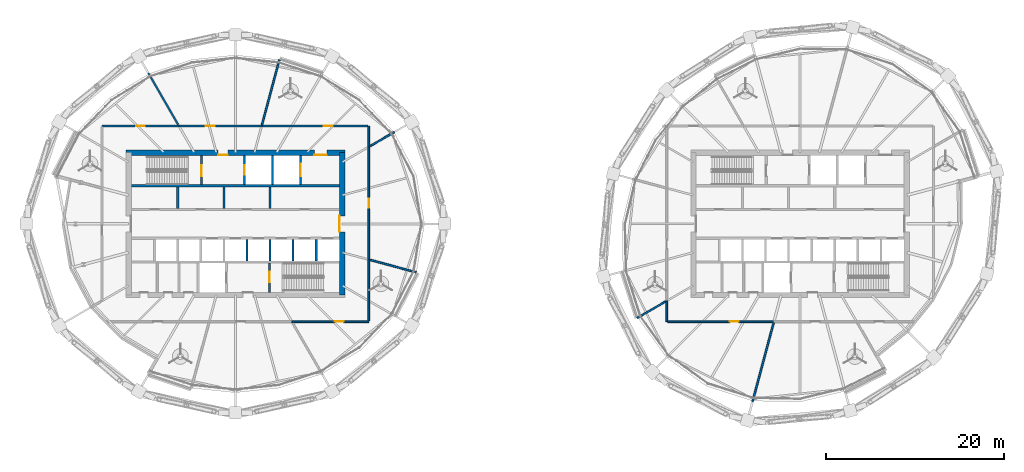
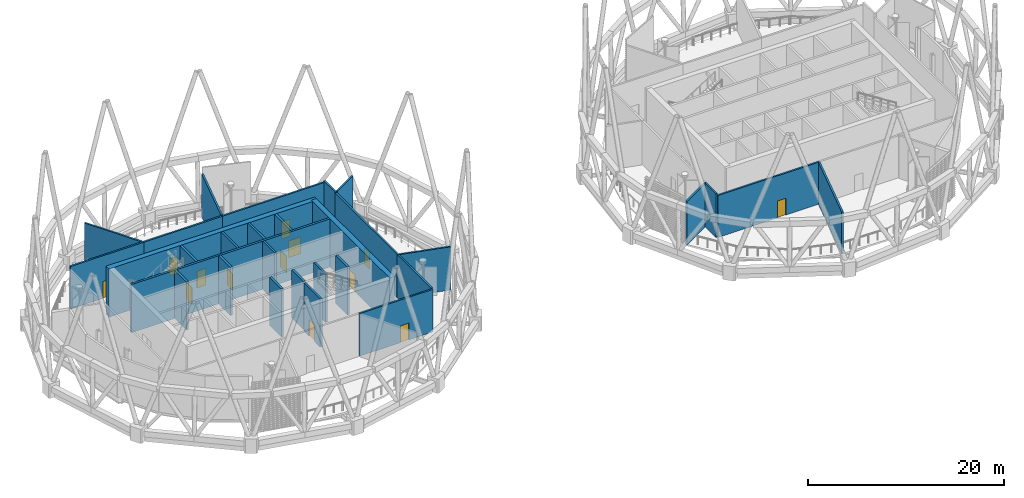
# One storey, part 11 of 22: 30 walls, 13 doors, 13 openings.
"""IFC4 building model written with IfcOpenShell, lengths in metres."""

from ifc_helpers import new_model, si_unit, direction, frame, frame_2d, origin, place, context, subcontext, project, spatial, rectangle, extrude, material, layer, layer_set, type_object, element, fill, save


model = new_model("IFC4")

# Units and contexts
model_context = context("Model", 3, precision=1e-05, world=origin(), true_north=direction((0.0, 1.0)))
body_context = subcontext(model_context, "Body", "Model", "MODEL_VIEW")
ifc_project = project(units=[si_unit("LENGTHUNIT", "METRE"), si_unit("AREAUNIT", "SQUARE_METRE"), si_unit("VOLUMEUNIT", "CUBIC_METRE"), si_unit("PLANEANGLEUNIT", "RADIAN"), si_unit("MASSUNIT", "GRAM", prefix="KILO")], contexts=[model_context])

# Site, building, storey
site_placement = place(None, origin())
site = spatial("IfcSite", under=ifc_project, at=site_placement, CompositionType="ELEMENT")
building_placement = place(site_placement, origin())
building = spatial("IfcBuilding", under=site, at=building_placement, Name="Rimbun Link Towers", CompositionType="ELEMENT")
storey_placement = place(building_placement, frame((0.0, 0.0, 204.5)))
storey = spatial("IfcBuildingStorey", under=building, at=storey_placement, Name="L50", CompositionType="ELEMENT", Elevation=204.5)

# Wall, openings, doors
ifc_material_1 = material(Name="Concrete C60/75", Category="concrete")
ifc_layer_1 = layer(ifc_material_1, 0.60009765625)
ifc_layer_set_1 = layer_set([ifc_layer_1], Name="Core shear wall 600")
wall_type_1 = type_object("IfcWallType", Name="Core shear wall 600", PredefinedType="SHEAR", material=ifc_layer_set_1)
wall_1_placement = place(storey_placement, frame((-44.050048828125, 8.0, 0.0), z_axis=(0.0, 0.0, 1.0), x_axis=(1.0, 0.0, 0.0)))
wall_1 = element("IfcWall", 1, at=wall_1_placement, inside=storey, type_object=wall_type_1, Name="L50 T1 core wall N", PredefinedType="SHEAR", context=body_context, shape_type="SweptSolid", body=[
    extrude(rectangle(XDim=24.60009765625, YDim=0.60009765625, at=frame_2d((12.300048828125, 0.0))), origin(), (0.0, 0.0, 1.0), 6.0),
])
opening_1_placement = place(wall_1_placement, frame((10.35009765625, 0.0, 0.0)))
opening_1 = element("IfcOpeningElement", 2, at=opening_1_placement, cuts=wall_1, Name="Opening C1DCF01N", PredefinedType="OPENING", context=body_context, shape_type="SweptSolid", body=[
    extrude(rectangle(XDim=1.10009765625, YDim=2.10009765625, at=frame_2d((0.550048828125, 1.050048828125))), frame((0.0, 0.31005859375, 0.0), z_axis=(0.0, -1.0, 0.0), x_axis=(1.0, 0.0, 0.0)), (0.0, 0.0, 1.0), 0.6201171875),
])
opening_2_placement = place(wall_1_placement, frame((21.175048828125, 0.0, 0.0)))
opening_2 = element("IfcOpeningElement", 3, at=opening_2_placement, cuts=wall_1, Name="Opening C1DSL02N", PredefinedType="OPENING", context=body_context, shape_type="SweptSolid", body=[
    extrude(rectangle(XDim=1.39990234375, YDim=2.10009765625, at=frame_2d((0.699951171875, 1.050048828125))), frame((0.0, 0.31005859375, 0.0), z_axis=(0.0, -1.0, 0.0), x_axis=(1.0, 0.0, 0.0)), (0.0, 0.0, 1.0), 0.6201171875),
])
ifc_material_2 = material(Name="Steel fire door set", Category="steel")
door_type_1 = type_object("IfcDoorType", Name="Core fire door single", OperationType="SINGLE_SWING_LEFT", PredefinedType="DOOR", material=ifc_material_2)
door_1_placement = place(opening_1_placement, origin())
door_1 = element("IfcDoor", 4, at=door_1_placement, inside=storey, type_object=door_type_1, Name="L50 T1 firefighting lobby n door", OperationType="SINGLE_SWING_LEFT", OverallHeight=2.10009765625, OverallWidth=1.10009765625, PredefinedType="DOOR", context=body_context, shape_type="SweptSolid", body=[
    extrude(rectangle(XDim=1.10009765625, YDim=2.10009765625, at=frame_2d((0.550048828125, 1.050048828125))), frame((0.0, -0.25, 0.0), z_axis=(0.0, -1.0, 0.0), x_axis=(1.0, 0.0, 0.0)), (0.0, 0.0, 1.0), 0.050048828125),
])
fill(opening_1, door_1)
ifc_material_3 = material(Name="Steel fire door set", Category="steel")
door_type_2 = type_object("IfcDoorType", Name="Service lobby door double", OperationType="DOUBLE_DOOR_SINGLE_SWING", PredefinedType="DOOR", material=ifc_material_3)
door_2_placement = place(opening_2_placement, origin())
door_2 = element("IfcDoor", 5, at=door_2_placement, inside=storey, type_object=door_type_2, Name="L50 T1 service lobby door", OperationType="DOUBLE_DOOR_SINGLE_SWING", OverallHeight=2.10009765625, OverallWidth=1.39990234375, PredefinedType="DOOR", context=body_context, shape_type="SweptSolid", body=[
    extrude(rectangle(XDim=1.39990234375, YDim=2.10009765625, at=frame_2d((0.699951171875, 1.050048828125))), frame((0.0, -0.25, 0.0), z_axis=(0.0, -1.0, 0.0), x_axis=(1.0, 0.0, 0.0)), (0.0, 0.0, 1.0), 0.050048828125),
])
fill(opening_2, door_2)

# Wall, opening, door
wall_2_placement = place(storey_placement, frame((-19.75, -8.0, 0.0), z_axis=(0.0, 0.0, 1.0), x_axis=(0.0, 1.0, 0.0)))
wall_2 = element("IfcWall", 6, at=wall_2_placement, inside=storey, type_object=wall_type_1, Name="L50 T1 core wall E", PredefinedType="SHEAR", context=body_context, shape_type="SweptSolid", body=[
    extrude(rectangle(XDim=16.0, YDim=0.60009765625, at=frame_2d((8.0, 0.0))), origin(), (0.0, 0.0, 1.0), 6.0),
])
opening_3_placement = place(wall_2_placement, frame((7.10009765625, 0.0, 0.0)))
opening_3 = element("IfcOpeningElement", 7, at=opening_3_placement, cuts=wall_2, Name="Opening C1DCL01E", PredefinedType="OPENING", context=body_context, shape_type="SweptSolid", body=[
    extrude(rectangle(XDim=1.800048828125, YDim=2.10009765625, at=frame_2d((0.89990234375, 1.050048828125))), frame((0.0, 0.31005859375, 0.0), z_axis=(0.0, -1.0, 0.0), x_axis=(1.0, 0.0, 0.0)), (0.0, 0.0, 1.0), 0.6201171875),
])
ifc_material_4 = material(Name="Steel fire door set", Category="steel")
door_type_3 = type_object("IfcDoorType", Name="Core lobby door double", OperationType="DOUBLE_DOOR_SINGLE_SWING", PredefinedType="DOOR", material=ifc_material_4)
door_3_placement = place(opening_3_placement, origin())
door_3 = element("IfcDoor", 8, at=door_3_placement, inside=storey, type_object=door_type_3, Name="L50 T1 lift lobby door", OperationType="DOUBLE_DOOR_SINGLE_SWING", OverallHeight=2.10009765625, OverallWidth=1.800048828125, PredefinedType="DOOR", context=body_context, shape_type="SweptSolid", body=[
    extrude(rectangle(XDim=1.800048828125, YDim=2.10009765625, at=frame_2d((0.89990234375, 1.050048828125))), frame((0.0, 0.2998046875, 0.0), z_axis=(0.0, -1.0, 0.0), x_axis=(1.0, 0.0, 0.0)), (0.0, 0.0, 1.0), 0.050048828125),
])
fill(opening_3, door_3)

ifc_material_5 = material(Name="Concrete blockwork", Category="masonry")
ifc_layer_2 = layer(ifc_material_5, 0.199951171875)
ifc_layer_set_2 = layer_set([ifc_layer_2], Name="Fire partition 200 blockwork")
wall_type_2 = type_object("IfcWallType", Name="Fire partition 200 blockwork", PredefinedType="PARTITIONING", material=ifc_layer_set_2)
wall_3_placement = place(storey_placement, frame((-25.399169921875, -11.0, 0.0), z_axis=(0.0, 0.0, 1.0), x_axis=(1.0, 0.0, 0.0)))
wall_3 = element("IfcWall", 9, at=wall_3_placement, inside=storey, type_object=wall_type_2, Name="TW/PW/L50/003", PredefinedType="PARTITIONING", context=body_context, shape_type="SweptSolid", body=[
    extrude(rectangle(XDim=8.649169921875, YDim=0.199951171875, at=frame_2d((4.32470703125, 0.0))), origin(), (0.0, 0.0, 1.0), 5.306884765625),
])
opening_4_placement = place(wall_3_placement, frame((4.8369140625, 0.0, 0.0)))
opening_4 = element("IfcOpeningElement", 10, at=opening_4_placement, cuts=wall_3, Name="Opening TW D50.03", PredefinedType="OPENING", context=body_context, shape_type="SweptSolid", body=[
    extrude(rectangle(XDim=1.0, YDim=2.10009765625, at=frame_2d((0.5, 1.050048828125))), frame((0.0, 0.10986328125, 0.0), z_axis=(0.0, -1.0, 0.0), x_axis=(1.0, 0.0, 0.0)), (0.0, 0.0, 1.0), 0.219970703125),
])
ifc_material_6 = material(Name="Steel fire door set", Category="steel")
door_type_4 = type_object("IfcDoorType", Name="Fire door single leaf 1000 x 2100", OperationType="NOTDEFINED", PredefinedType="DOOR", material=ifc_material_6)
door_4_placement = place(opening_4_placement, origin())
door_4 = element("IfcDoor", 11, at=door_4_placement, inside=storey, type_object=door_type_4, Name="TW/DR/L50/003", OperationType="SINGLE_SWING_RIGHT", OverallHeight=2.10009765625, OverallWidth=1.0, PredefinedType="DOOR", context=body_context, shape_type="SweptSolid", body=[
    extrude(rectangle(XDim=1.0, YDim=2.10009765625, at=frame_2d((0.5, 1.050048828125))), frame((0.0, 0.02490234375, 0.0), z_axis=(0.0, -1.0, 0.0), x_axis=(1.0, 0.0, 0.0)), (0.0, 0.0, 1.0), 0.050048828125),
])
fill(opening_4, door_4)

# Wall
wall_4_placement = place(storey_placement, frame((-16.75, -10.89990234375, 0.0), z_axis=(0.0, 0.0, 1.0), x_axis=(0.0, 1.0, 0.0)))
element("IfcWall", 12, at=wall_4_placement, inside=storey, type_object=wall_type_2, Name="TW/PW/L50/004", PredefinedType="PARTITIONING", context=body_context, shape_type="SweptSolid", body=[
    extrude(rectangle(XDim=6.880615234375, YDim=0.199951171875, at=frame_2d((3.4404296875, 0.0))), origin(), (0.0, 0.0, 1.0), 5.386962890625),
])

# Wall, opening, door
wall_5_placement = place(storey_placement, frame((-16.75, -4.019287109375, 0.0), z_axis=(0.0, 0.0, 1.0), x_axis=(0.0, 1.0, 0.0)))
wall_5 = element("IfcWall", 13, at=wall_5_placement, inside=storey, type_object=wall_type_2, Name="TW/PW/L50/005", PredefinedType="PARTITIONING", context=body_context, shape_type="SweptSolid", body=[
    extrude(rectangle(XDim=12.6796875, YDim=0.199951171875, at=frame_2d((6.33984375, 0.0))), origin(), (0.0, 0.0, 1.0), 5.386962890625),
])
opening_5_placement = place(wall_5_placement, frame((5.840087890625, 0.0, 0.0)))
opening_5 = element("IfcOpeningElement", 14, at=opening_5_placement, cuts=wall_5, Name="Opening TW D50.04", PredefinedType="OPENING", context=body_context, shape_type="SweptSolid", body=[
    extrude(rectangle(XDim=1.0, YDim=2.10009765625, at=frame_2d((0.5, 1.050048828125))), frame((0.0, 0.10986328125, 0.0), z_axis=(0.0, -1.0, 0.0), x_axis=(1.0, 0.0, 0.0)), (0.0, 0.0, 1.0), 0.219970703125),
])
door_5_placement = place(opening_5_placement, origin())
door_5 = element("IfcDoor", 15, at=door_5_placement, inside=storey, type_object=door_type_4, Name="TW/DR/L50/004", OperationType="SINGLE_SWING_LEFT", OverallHeight=2.10009765625, OverallWidth=1.0, PredefinedType="DOOR", context=body_context, shape_type="SweptSolid", body=[
    extrude(rectangle(XDim=1.0, YDim=2.10009765625, at=frame_2d((0.5, 1.050048828125))), frame((0.0, 0.02490234375, 0.0), z_axis=(0.0, -1.0, 0.0), x_axis=(1.0, 0.0, 0.0)), (0.0, 0.0, 1.0), 0.050048828125),
])
fill(opening_5, door_5)

# Wall
wall_6_placement = place(storey_placement, frame((-16.75, 8.660400390625, 0.0), z_axis=(0.0, 0.0, 1.0), x_axis=(0.0, 1.0, 0.0)))
element("IfcWall", 16, at=wall_6_placement, inside=storey, type_object=wall_type_2, Name="TW/PW/L50/006", PredefinedType="PARTITIONING", context=body_context, shape_type="SweptSolid", body=[
    extrude(rectangle(XDim=2.339599609375, YDim=0.199951171875, at=frame_2d((1.169921875, 0.0))), origin(), (0.0, 0.0, 1.0), 5.485107421875),
])

# Wall, opening, door
wall_7_placement = place(storey_placement, frame((-16.85009765625, 11.0, 0.0), z_axis=(0.0, 0.0, 1.0), x_axis=(-1.0, 0.0, 0.0)))
wall_7 = element("IfcWall", 17, at=wall_7_placement, inside=storey, type_object=wall_type_2, Name="TW/PW/L50/007", PredefinedType="PARTITIONING", context=body_context, shape_type="SweptSolid", body=[
    extrude(rectangle(XDim=11.952392578125, YDim=0.199951171875, at=frame_2d((5.97607421875, 0.0))), origin(), (0.0, 0.0, 1.0), 5.306884765625),
])
opening_6_placement = place(wall_7_placement, frame((3.968017578125, 0.0, 0.0)))
opening_6 = element("IfcOpeningElement", 18, at=opening_6_placement, cuts=wall_7, Name="Opening TW D50.05", PredefinedType="OPENING", context=body_context, shape_type="SweptSolid", body=[
    extrude(rectangle(XDim=1.0, YDim=2.10009765625, at=frame_2d((0.5, 1.050048828125))), frame((0.0, 0.10986328125, 0.0), z_axis=(0.0, -1.0, 0.0), x_axis=(1.0, 0.0, 0.0)), (0.0, 0.0, 1.0), 0.219970703125),
])
door_6_placement = place(opening_6_placement, origin())
door_6 = element("IfcDoor", 19, at=door_6_placement, inside=storey, type_object=door_type_4, Name="TW/DR/L50/005", OperationType="SINGLE_SWING_RIGHT", OverallHeight=2.10009765625, OverallWidth=1.0, PredefinedType="DOOR", context=body_context, shape_type="SweptSolid", body=[
    extrude(rectangle(XDim=1.0, YDim=2.10009765625, at=frame_2d((0.5, 1.050048828125))), frame((0.0, 0.02490234375, 0.0), z_axis=(0.0, -1.0, 0.0), x_axis=(1.0, 0.0, 0.0)), (0.0, 0.0, 1.0), 0.050048828125),
])
fill(opening_6, door_6)

wall_8_placement = place(storey_placement, frame((-28.802490234375, 11.0, 0.0), z_axis=(0.0, 0.0, 1.0), x_axis=(-1.0, 0.0, 0.0)))
wall_8 = element("IfcWall", 20, at=wall_8_placement, inside=storey, type_object=wall_type_2, Name="TW/PW/L50/008", PredefinedType="PARTITIONING", context=body_context, shape_type="SweptSolid", body=[
    extrude(rectangle(XDim=9.29833984375, YDim=0.199951171875, at=frame_2d((4.649169921875, 0.0))), origin(), (0.0, 0.0, 1.0), 5.306884765625),
])
opening_7_placement = place(wall_8_placement, frame((5.259033203125, 0.0, 0.0)))
opening_7 = element("IfcOpeningElement", 21, at=opening_7_placement, cuts=wall_8, Name="Opening TW D50.06", PredefinedType="OPENING", context=body_context, shape_type="SweptSolid", body=[
    extrude(rectangle(XDim=1.0, YDim=2.10009765625, at=frame_2d((0.5, 1.050048828125))), frame((0.0, 0.10986328125, 0.0), z_axis=(0.0, -1.0, 0.0), x_axis=(1.0, 0.0, 0.0)), (0.0, 0.0, 1.0), 0.219970703125),
])
door_7_placement = place(opening_7_placement, origin())
door_7 = element("IfcDoor", 22, at=door_7_placement, inside=storey, type_object=door_type_4, Name="TW/DR/L50/006", OperationType="SINGLE_SWING_LEFT", OverallHeight=2.10009765625, OverallWidth=1.0, PredefinedType="DOOR", context=body_context, shape_type="SweptSolid", body=[
    extrude(rectangle(XDim=1.0, YDim=2.10009765625, at=frame_2d((0.5, 1.050048828125))), frame((0.0, 0.02490234375, 0.0), z_axis=(0.0, -1.0, 0.0), x_axis=(1.0, 0.0, 0.0)), (0.0, 0.0, 1.0), 0.050048828125),
])
fill(opening_7, door_7)

wall_9_placement = place(storey_placement, frame((-38.100830078125, 11.0, 0.0), z_axis=(0.0, 0.0, 1.0), x_axis=(-1.0, 0.0, 0.0)))
wall_9 = element("IfcWall", 23, at=wall_9_placement, inside=storey, type_object=wall_type_2, Name="TW/PW/L50/009", PredefinedType="PARTITIONING", context=body_context, shape_type="SweptSolid", body=[
    extrude(rectangle(XDim=8.649169921875, YDim=0.199951171875, at=frame_2d((4.32470703125, 0.0))), origin(), (0.0, 0.0, 1.0), 5.306884765625),
])
opening_8_placement = place(wall_9_placement, frame((3.824951171875, 0.0, 0.0)))
opening_8 = element("IfcOpeningElement", 24, at=opening_8_placement, cuts=wall_9, Name="Opening TW D50.07", PredefinedType="OPENING", context=body_context, shape_type="SweptSolid", body=[
    extrude(rectangle(XDim=1.0, YDim=2.10009765625, at=frame_2d((0.5, 1.050048828125))), frame((0.0, 0.10986328125, 0.0), z_axis=(0.0, -1.0, 0.0), x_axis=(1.0, 0.0, 0.0)), (0.0, 0.0, 1.0), 0.219970703125),
])
door_8_placement = place(opening_8_placement, origin())
door_8 = element("IfcDoor", 25, at=door_8_placement, inside=storey, type_object=door_type_4, Name="TW/DR/L50/007", OperationType="SINGLE_SWING_RIGHT", OverallHeight=2.10009765625, OverallWidth=1.0, PredefinedType="DOOR", context=body_context, shape_type="SweptSolid", body=[
    extrude(rectangle(XDim=1.0, YDim=2.10009765625, at=frame_2d((0.5, 1.050048828125))), frame((0.0, 0.02490234375, 0.0), z_axis=(0.0, -1.0, 0.0), x_axis=(1.0, 0.0, 0.0)), (0.0, 0.0, 1.0), 0.050048828125),
])
fill(opening_8, door_8)

# Walls
wall_10_placement = place(storey_placement, frame((-11.3759765625, -5.459228515625, 0.0), z_axis=(0.0, 0.0, 1.0), x_axis=(-0.965923982135, 0.25882592748, 0.0)))
element("IfcWall", 26, at=wall_10_placement, inside=storey, type_object=wall_type_2, Name="TW/PW/L50/015", PredefinedType="PARTITIONING", context=body_context, shape_type="SweptSolid", body=[
    extrude(rectangle(XDim=5.43310546875, YDim=0.199951171875, at=frame_2d((2.716552734375, 0.0))), origin(), (0.0, 0.0, 1.0), 5.386962890625),
])
wall_11_placement = place(storey_placement, frame((-13.88720703125, 10.31298828125, 0.0), z_axis=(0.0, 0.0, 1.0), x_axis=(-0.86604282367, -0.49996982666, 0.0)))
element("IfcWall", 27, at=wall_11_placement, inside=storey, type_object=wall_type_2, Name="TW/PW/L50/016", PredefinedType="PARTITIONING", context=body_context, shape_type="SweptSolid", body=[
    extrude(rectangle(XDim=3.132568359375, YDim=0.199951171875, at=frame_2d((1.56640625, 0.0))), origin(), (0.0, 0.0, 1.0), 5.485107421875),
])
wall_12_placement = place(storey_placement, frame((-26.800537109375, 18.471435546875, 0.0), z_axis=(0.0, 0.0, 1.0), x_axis=(-0.258825414689, -0.965924119541, 0.0)))
element("IfcWall", 28, at=wall_12_placement, inside=storey, type_object=wall_type_2, Name="TW/PW/L50/017", PredefinedType="PARTITIONING", context=body_context, shape_type="SweptSolid", body=[
    extrude(rectangle(XDim=7.6044921875, YDim=0.199951171875, at=frame_2d((3.80224609375, 0.0))), origin(), (0.0, 0.0, 1.0), 5.306884765625),
])
wall_13_placement = place(storey_placement, frame((-41.53662109375, 16.950927734375, 0.0), z_axis=(0.0, 0.0, 1.0), x_axis=(0.499988525892, -0.866032028263, 0.0)))
element("IfcWall", 29, at=wall_13_placement, inside=storey, type_object=wall_type_2, Name="TW/PW/L50/018", PredefinedType="PARTITIONING", context=body_context, shape_type="SweptSolid", body=[
    extrude(rectangle(XDim=6.698486328125, YDim=0.199951171875, at=frame_2d((3.34912109375, 0.0))), origin(), (0.0, 0.0, 1.0), 5.306884765625),
])
wall_14_placement = place(storey_placement, frame((16.75, -8.660400390625, 0.0), z_axis=(0.0, 0.0, 1.0), x_axis=(0.0, -1.0, 0.0)))
element("IfcWall", 30, at=wall_14_placement, inside=storey, type_object=wall_type_2, Name="TW/PW/L50/020", PredefinedType="PARTITIONING", context=body_context, shape_type="SweptSolid", body=[
    extrude(rectangle(XDim=2.339599609375, YDim=0.199951171875, at=frame_2d((1.169921875, 0.0))), origin(), (0.0, 0.0, 1.0), 5.485107421875),
])

# Wall, opening, door
wall_15_placement = place(storey_placement, frame((16.85009765625, -11.0, 0.0), z_axis=(0.0, 0.0, 1.0), x_axis=(1.0, 0.0, 0.0)))
wall_15 = element("IfcWall", 31, at=wall_15_placement, inside=storey, type_object=wall_type_2, Name="TW/PW/L50/021", PredefinedType="PARTITIONING", context=body_context, shape_type="SweptSolid", body=[
    extrude(rectangle(XDim=11.952392578125, YDim=0.199951171875, at=frame_2d((5.97607421875, 0.0))), origin(), (0.0, 0.0, 1.0), 5.237060546875),
])
opening_9_placement = place(wall_15_placement, frame((6.98388671875, 0.0, 0.0)))
opening_9 = element("IfcOpeningElement", 32, at=opening_9_placement, cuts=wall_15, Name="Opening TW D50.09", PredefinedType="OPENING", context=body_context, shape_type="SweptSolid", body=[
    extrude(rectangle(XDim=1.0, YDim=2.10009765625, at=frame_2d((0.5, 1.050048828125))), frame((0.0, 0.10986328125, 0.0), z_axis=(0.0, -1.0, 0.0), x_axis=(1.0, 0.0, 0.0)), (0.0, 0.0, 1.0), 0.219970703125),
])
door_9_placement = place(opening_9_placement, origin())
door_9 = element("IfcDoor", 33, at=door_9_placement, inside=storey, type_object=door_type_4, Name="TW/DR/L50/009", OperationType="SINGLE_SWING_RIGHT", OverallHeight=2.10009765625, OverallWidth=1.0, PredefinedType="DOOR", context=body_context, shape_type="SweptSolid", body=[
    extrude(rectangle(XDim=1.0, YDim=2.10009765625, at=frame_2d((0.5, 1.050048828125))), frame((0.0, 0.02490234375, 0.0), z_axis=(0.0, -1.0, 0.0), x_axis=(1.0, 0.0, 0.0)), (0.0, 0.0, 1.0), 0.050048828125),
])
fill(opening_9, door_9)

# Walls
wall_16_placement = place(storey_placement, frame((26.390869140625, -20.00048828125, 0.0), z_axis=(0.0, 0.0, 1.0), x_axis=(0.258820206775, 0.965925515019, 0.0)))
element("IfcWall", 34, at=wall_16_placement, inside=storey, type_object=wall_type_2, Name="TW/PW/L50/031", PredefinedType="PARTITIONING", context=body_context, shape_type="SweptSolid", body=[
    extrude(rectangle(XDim=9.1875, YDim=0.199951171875, at=frame_2d((4.59375, 0.0))), origin(), (0.0, 0.0, 1.0), 5.237060546875),
])
wall_17_placement = place(storey_placement, frame((16.60009765625, -8.746826171875, 0.0), z_axis=(0.0, 0.0, 1.0), x_axis=(-0.866025356753, -0.50000008146, 0.0)))
element("IfcWall", 35, at=wall_17_placement, inside=storey, type_object=wall_type_2, Name="TW/PW/L50/032", PredefinedType="PARTITIONING", context=body_context, shape_type="SweptSolid", body=[
    extrude(rectangle(XDim=3.67919921875, YDim=0.199951171875, at=frame_2d((1.839599609375, 0.0))), origin(), (0.0, 0.0, 1.0), 5.43408203125),
])
ifc_material_7 = material(Name="Concrete C60/75", Category="concrete")
ifc_layer_3 = layer(ifc_material_7, 0.25)
ifc_layer_set_3 = layer_set([ifc_layer_3], Name="Shaft wall 250")
wall_type_3 = type_object("IfcWallType", Name="Shaft wall 250", PredefinedType="SHEAR", material=ifc_layer_set_3)
wall_18_placement = place(storey_placement, frame((-43.449951171875, 4.27490234375, 0.0), z_axis=(0.0, 0.0, 1.0), x_axis=(1.0, 0.0, 0.0)))
element("IfcWall", 36, at=wall_18_placement, inside=storey, type_object=wall_type_3, Name="L50 T1 core wall BN", PredefinedType="SHEAR", context=body_context, shape_type="SweptSolid", body=[
    extrude(rectangle(XDim=23.39990234375, YDim=0.25, at=frame_2d((11.699951171875, 0.0))), origin(), (0.0, 0.0, 1.0), 6.0),
])
for number, where, z_axis, x_axis, name in (
    (37, (-38.236083984375, 1.75, 0.0), (0.0, 0.0, 1.0), (0.0, 1.0, 0.0), "L50 T1 core wall DN1"),
    (38, (-33.047119140625, 1.75, 0.0), (0.0, 0.0, 1.0), (0.0, 1.0, 0.0), "L50 T1 core wall DN3"),
    (39, (-27.8583984375, 1.75, 0.0), (0.0, 0.0, 1.0), (0.0, 1.0, 0.0), "L50 T1 core wall DN5"),
    (40, (-30.452880859375, -4.14990234375, 0.0), (0.0, 0.0, 1.0), (0.0, 1.0, 0.0), "L50 T1 core wall DS4"),
    (41, (-27.8583984375, -4.14990234375, 0.0), (0.0, 0.0, 1.0), (0.0, 1.0, 0.0), "L50 T1 core wall DS5"),
    (42, (-25.263916015625, -4.14990234375, 0.0), (0.0, 0.0, 1.0), (0.0, 1.0, 0.0), "L50 T1 core wall DS6"),
    (43, (-22.66943359375, -4.14990234375, 0.0), (0.0, 0.0, 1.0), (0.0, 1.0, 0.0), "L50 T1 core wall DS7"),
):
    element("IfcWall", number, at=place(storey_placement, frame(where, z_axis=z_axis, x_axis=x_axis)), inside=storey, type_object=wall_type_3, Name=name, PredefinedType="SHEAR", context=body_context, shape_type="SweptSolid", body=[
        extrude(rectangle(XDim=2.39990234375, YDim=0.25, at=frame_2d((1.199951171875, 0.0))), origin(), (0.0, 0.0, 1.0), 6.0),
    ])

# Wall, opening, door
wall_19_placement = place(storey_placement, frame((-35.574951171875, 4.39990234375, 0.0), z_axis=(0.0, 0.0, 1.0), x_axis=(0.0, 1.0, 0.0)))
wall_19 = element("IfcWall", 44, at=wall_19_placement, inside=storey, type_object=wall_type_3, Name="L50 T1 core wall A1", PredefinedType="SHEAR", context=body_context, shape_type="SweptSolid", body=[
    extrude(rectangle(XDim=3.300048828125, YDim=0.25, at=frame_2d((1.64990234375, 0.0))), origin(), (0.0, 0.0, 1.0), 6.0),
])
opening_10_placement = place(wall_19_placement, frame((0.97509765625, 0.0, 0.0)))
opening_10 = element("IfcOpeningElement", 45, at=opening_10_placement, cuts=wall_19, Name="Opening C1DST01A1", PredefinedType="OPENING", context=body_context, shape_type="SweptSolid", body=[
    extrude(rectangle(XDim=1.199951171875, YDim=2.10009765625, at=frame_2d((0.60009765625, 1.050048828125))), frame((0.0, 0.135009765625, 0.0), z_axis=(0.0, -1.0, 0.0), x_axis=(1.0, 0.0, 0.0)), (0.0, 0.0, 1.0), 0.27001953125),
])
ifc_material_8 = material(Name="Steel fire door set", Category="steel")
door_type_5 = type_object("IfcDoorType", Name="Stair door", OperationType="SINGLE_SWING_LEFT", PredefinedType="DOOR", material=ifc_material_8)
door_10_placement = place(opening_10_placement, origin())
door_10 = element("IfcDoor", 46, at=door_10_placement, inside=storey, type_object=door_type_5, Name="L50 T1 stair a door", OperationType="SINGLE_SWING_LEFT", OverallHeight=2.10009765625, OverallWidth=1.199951171875, PredefinedType="DOOR", context=body_context, shape_type="SweptSolid", body=[
    extrude(rectangle(XDim=1.199951171875, YDim=2.10009765625, at=frame_2d((0.60009765625, 1.050048828125))), frame((0.0, 0.02490234375, 0.0), z_axis=(0.0, -1.0, 0.0), x_axis=(1.0, 0.0, 0.0)), (0.0, 0.0, 1.0), 0.050048828125),
])
fill(opening_10, door_10)

wall_20_placement = place(storey_placement, frame((-30.72509765625, 4.39990234375, 0.0), z_axis=(0.0, 0.0, 1.0), x_axis=(0.0, 1.0, 0.0)))
wall_20 = element("IfcWall", 47, at=wall_20_placement, inside=storey, type_object=wall_type_3, Name="L50 T1 core wall A2", PredefinedType="SHEAR", context=body_context, shape_type="SweptSolid", body=[
    extrude(rectangle(XDim=3.300048828125, YDim=0.25, at=frame_2d((1.64990234375, 0.0))), origin(), (0.0, 0.0, 1.0), 6.0),
])
opening_11_placement = place(wall_20_placement, frame((1.10009765625, 0.0, 0.0)))
opening_11 = element("IfcOpeningElement", 48, at=opening_11_placement, cuts=wall_20, Name="Opening LD-T1-FF1", PredefinedType="OPENING", context=body_context, shape_type="SweptSolid", body=[
    extrude(rectangle(XDim=1.10009765625, YDim=2.10009765625, at=frame_2d((0.550048828125, 1.050048828125))), frame((0.0, 0.135009765625, 0.0), z_axis=(0.0, -1.0, 0.0), x_axis=(1.0, 0.0, 0.0)), (0.0, 0.0, 1.0), 0.27001953125),
])
ifc_material_9 = material(Name="Stainless steel grade 316", Category="steel")
door_type_6 = type_object("IfcDoorType", Name="Lift landing door", OperationType="DOUBLE_DOOR_SLIDING", PredefinedType="DOOR", material=ifc_material_9)
door_11_placement = place(opening_11_placement, origin())
door_11 = element("IfcDoor", 49, at=door_11_placement, inside=storey, type_object=door_type_6, Name="L50 T1 lift FF1 landing door", OperationType="DOUBLE_DOOR_SLIDING", OverallHeight=2.10009765625, OverallWidth=1.10009765625, PredefinedType="DOOR", context=body_context, shape_type="SweptSolid", body=[
    extrude(rectangle(XDim=1.10009765625, YDim=2.10009765625, at=frame_2d((0.550048828125, 1.050048828125))), frame((0.0, 0.02490234375, 0.0), z_axis=(0.0, -1.0, 0.0), x_axis=(1.0, 0.0, 0.0)), (0.0, 0.0, 1.0), 0.050048828125),
])
fill(opening_11, door_11)

# Wall
wall_21_placement = place(storey_placement, frame((-27.574951171875, 4.39990234375, 0.0), z_axis=(0.0, 0.0, 1.0), x_axis=(0.0, 1.0, 0.0)))
element("IfcWall", 50, at=wall_21_placement, inside=storey, type_object=wall_type_3, Name="L50 T1 core wall A3", PredefinedType="SHEAR", context=body_context, shape_type="SweptSolid", body=[
    extrude(rectangle(XDim=3.300048828125, YDim=0.25, at=frame_2d((1.64990234375, 0.0))), origin(), (0.0, 0.0, 1.0), 6.0),
])

# Wall, opening, door
wall_22_placement = place(storey_placement, frame((-24.425048828125, 4.39990234375, 0.0), z_axis=(0.0, 0.0, 1.0), x_axis=(0.0, 1.0, 0.0)))
wall_22 = element("IfcWall", 51, at=wall_22_placement, inside=storey, type_object=wall_type_3, Name="L50 T1 core wall A4", PredefinedType="SHEAR", context=body_context, shape_type="SweptSolid", body=[
    extrude(rectangle(XDim=3.300048828125, YDim=0.25, at=frame_2d((1.64990234375, 0.0))), origin(), (0.0, 0.0, 1.0), 6.0),
])
opening_12_placement = place(wall_22_placement, frame((0.949951171875, 0.0, 0.0)))
opening_12 = element("IfcOpeningElement", 52, at=opening_12_placement, cuts=wall_22, Name="Opening LD-T1-GL1", PredefinedType="OPENING", context=body_context, shape_type="SweptSolid", body=[
    extrude(rectangle(XDim=1.39990234375, YDim=2.10009765625, at=frame_2d((0.699951171875, 1.050048828125))), frame((0.0, 0.135009765625, 0.0), z_axis=(0.0, -1.0, 0.0), x_axis=(1.0, 0.0, 0.0)), (0.0, 0.0, 1.0), 0.27001953125),
])
ifc_material_10 = material(Name="Stainless steel grade 316", Category="steel")
door_type_7 = type_object("IfcDoorType", Name="Goods lift landing door", OperationType="DOUBLE_DOOR_SLIDING", PredefinedType="DOOR", material=ifc_material_10)
door_12_placement = place(opening_12_placement, origin())
door_12 = element("IfcDoor", 53, at=door_12_placement, inside=storey, type_object=door_type_7, Name="L50 T1 lift GL1 landing door", OperationType="DOUBLE_DOOR_SLIDING", OverallHeight=2.10009765625, OverallWidth=1.39990234375, PredefinedType="DOOR", context=body_context, shape_type="SweptSolid", body=[
    extrude(rectangle(XDim=1.39990234375, YDim=2.10009765625, at=frame_2d((0.699951171875, 1.050048828125))), frame((0.0, 0.02490234375, 0.0), z_axis=(0.0, -1.0, 0.0), x_axis=(1.0, 0.0, 0.0)), (0.0, 0.0, 1.0), 0.050048828125),
])
fill(opening_12, door_12)

wall_23_placement = place(storey_placement, frame((-27.925048828125, -4.39990234375, 0.0), z_axis=(0.0, 0.0, 1.0), x_axis=(0.0, -1.0, 0.0)))
wall_23 = element("IfcWall", 54, at=wall_23_placement, inside=storey, type_object=wall_type_3, Name="L50 T1 core wall B1", PredefinedType="SHEAR", context=body_context, shape_type="SweptSolid", body=[
    extrude(rectangle(XDim=3.300048828125, YDim=0.25, at=frame_2d((1.64990234375, 0.0))), origin(), (0.0, 0.0, 1.0), 6.0),
])
opening_13_placement = place(wall_23_placement, frame((0.97509765625, 0.0, 0.0)))
opening_13 = element("IfcOpeningElement", 55, at=opening_13_placement, cuts=wall_23, Name="Opening C1DST01B1", PredefinedType="OPENING", context=body_context, shape_type="SweptSolid", body=[
    extrude(rectangle(XDim=1.199951171875, YDim=2.10009765625, at=frame_2d((0.60009765625, 1.050048828125))), frame((0.0, 0.135009765625, 0.0), z_axis=(0.0, -1.0, 0.0), x_axis=(1.0, 0.0, 0.0)), (0.0, 0.0, 1.0), 0.27001953125),
])
door_13_placement = place(opening_13_placement, origin())
door_13 = element("IfcDoor", 56, at=door_13_placement, inside=storey, type_object=door_type_5, Name="L50 T1 stair b door", OperationType="SINGLE_SWING_RIGHT", OverallHeight=2.10009765625, OverallWidth=1.199951171875, PredefinedType="DOOR", context=body_context, shape_type="SweptSolid", body=[
    extrude(rectangle(XDim=1.199951171875, YDim=2.10009765625, at=frame_2d((0.60009765625, 1.050048828125))), frame((0.0, 0.02490234375, 0.0), z_axis=(0.0, -1.0, 0.0), x_axis=(1.0, 0.0, 0.0)), (0.0, 0.0, 1.0), 0.050048828125),
])
fill(opening_13, door_13)

save(model, "model.ifc")
